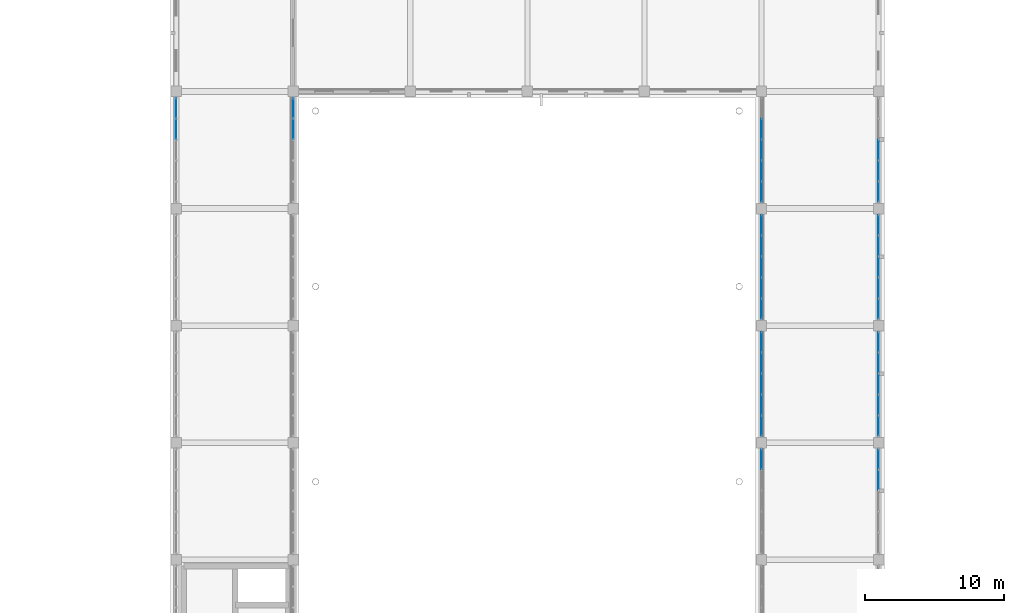
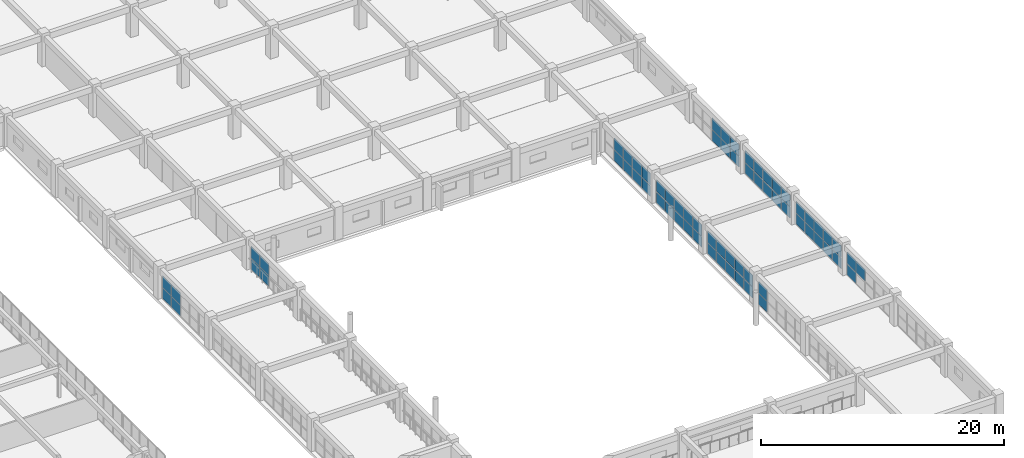
# One storey, part 159 of 200: 67 plates, 10 elements without a shape of their own.
"""IFC4 building model written with IfcOpenShell, lengths in metres."""

from ifc_helpers import new_model, si_unit, direction, frame, origin, origin_2d, place, context, subcontext, project, spatial, rectangle, extrude, material, layer, layer_set, type_object, element, aggregate, save


model = new_model("IFC4")

# Units and contexts
model_context = context("Model", 3, precision=1e-05, world=origin(), true_north=direction((0.0, 1.0)))
body_context = subcontext(model_context, "Body", "Model", "MODEL_VIEW")
ifc_project = project(units=[si_unit("LENGTHUNIT", "METRE"), si_unit("AREAUNIT", "SQUARE_METRE"), si_unit("VOLUMEUNIT", "CUBIC_METRE"), si_unit("PLANEANGLEUNIT", "RADIAN"), si_unit("MASSUNIT", "GRAM", prefix="KILO")], contexts=[model_context])

# Site, building, storey
site_placement = place(None, origin())
site = spatial("IfcSite", under=ifc_project, at=site_placement, CompositionType="ELEMENT")
building_placement = place(site_placement, origin())
building = spatial("IfcBuilding", under=site, at=building_placement, Name="Trelvath General Hospital", CompositionType="ELEMENT")
storey_placement = place(building_placement, frame((0.0, 0.0, 4.800048828125)))
storey = spatial("IfcBuildingStorey", under=building, at=storey_placement, Name="L01", CompositionType="ELEMENT", Elevation=4.800048828125)

# Curtain wall, plates
ifc_material_1 = material(Name="Anodised aluminium and low-E glass", Category="aluminium")
ifc_layer_1 = layer(ifc_material_1, 0.179931640625)
ifc_layer_set_1 = layer_set([ifc_layer_1], Name="Anodised aluminium and low-E glass")
curtain_wall_type = type_object("IfcCurtainWallType", Name="CW Facade 754 242 18", PredefinedType="USERDEFINED", material=ifc_layer_set_1)
curtain_wall_1_placement = place(storey_placement, origin())
curtain_wall_1 = element("IfcCurtainWall", 1, at=curtain_wall_1_placement, inside=storey, type_object=curtain_wall_type, Name="Facade Curtain Wall CW-028", ObjectType="Unitised Glazed Curtain Wall", PredefinedType="USERDEFINED")
ifc_material_2 = material(Name="Low-E laminated glass", Category="glass")
ifc_layer_2 = layer(ifc_material_2, 0.035888671875)
ifc_layer_set_2 = layer_set([ifc_layer_2], Name="Low-E laminated glass")
plate_type = type_object("IfcPlateType", Name="CurtainPanel Glass36", PredefinedType="CURTAIN_PANEL", material=ifc_layer_set_2)
plate_1_placement = place(storey_placement, frame((134.39990234375, 64.508056640625, 0.06494140625), z_axis=(0.0, 0.0, 1.0), x_axis=(0.0, 1.0, 0.0)))
plate_1 = element("IfcPlate", 2, at=plate_1_placement, type_object=plate_type, Name="CW-028 panel 4.1", PredefinedType="CURTAIN_PANEL", context=body_context, shape_type="SweptSolid", body=[
    extrude(rectangle(XDim=1.443115234375, YDim=0.035888671875, at=origin_2d()), origin(), (0.0, 0.0, 1.0), 1.064453125),
])
plate_2_placement = place(storey_placement, frame((134.39990234375, 64.508056640625, 1.1943359375), z_axis=(0.0, 0.0, 1.0), x_axis=(0.0, 1.0, 0.0)))
plate_2 = element("IfcPlate", 3, at=plate_2_placement, type_object=plate_type, Name="CW-028 panel 4.2", PredefinedType="CURTAIN_PANEL", context=body_context, shape_type="SweptSolid", body=[
    extrude(rectangle(XDim=1.443115234375, YDim=0.035888671875, at=origin_2d()), origin(), (0.0, 0.0, 1.0), 1.160400390625),
])
plate_3_placement = place(storey_placement, frame((134.39990234375, 65.999755859375, 0.06494140625), z_axis=(0.0, 0.0, 1.0), x_axis=(0.0, 1.0, 0.0)))
plate_3 = element("IfcPlate", 4, at=plate_3_placement, type_object=plate_type, Name="CW-028 panel 5.1", PredefinedType="CURTAIN_PANEL", context=body_context, shape_type="SweptSolid", body=[
    extrude(rectangle(XDim=1.410400390625, YDim=0.035888671875, at=origin_2d()), origin(), (0.0, 0.0, 1.0), 1.064453125),
])
plate_4_placement = place(storey_placement, frame((134.39990234375, 65.999755859375, 1.1943359375), z_axis=(0.0, 0.0, 1.0), x_axis=(0.0, 1.0, 0.0)))
plate_4 = element("IfcPlate", 5, at=plate_4_placement, type_object=plate_type, Name="CW-028 panel 5.2", PredefinedType="CURTAIN_PANEL", context=body_context, shape_type="SweptSolid", body=[
    extrude(rectangle(XDim=1.410400390625, YDim=0.035888671875, at=origin_2d()), origin(), (0.0, 0.0, 1.0), 1.160400390625),
])
aggregate(curtain_wall_1, [plate_1, plate_2, plate_3, plate_4])

curtain_wall_2_placement = place(storey_placement, origin())
curtain_wall_2 = element("IfcCurtainWall", 6, at=curtain_wall_2_placement, inside=storey, type_object=curtain_wall_type, Name="Facade Curtain Wall CW-029", ObjectType="Unitised Glazed Curtain Wall", PredefinedType="USERDEFINED")
plate_5_placement = place(storey_placement, frame((142.800048828125, 65.999755859375, 0.06494140625), z_axis=(0.0, 0.0, 1.0), x_axis=(0.0, -1.0, 0.0)))
plate_5 = element("IfcPlate", 7, at=plate_5_placement, type_object=plate_type, Name="CW-029 panel 1.1", PredefinedType="CURTAIN_PANEL", context=body_context, shape_type="SweptSolid", body=[
    extrude(rectangle(XDim=1.410400390625, YDim=0.035888671875, at=origin_2d()), origin(), (0.0, 0.0, 1.0), 1.064453125),
])
plate_6_placement = place(storey_placement, frame((142.800048828125, 65.999755859375, 1.1943359375), z_axis=(0.0, 0.0, 1.0), x_axis=(0.0, -1.0, 0.0)))
plate_6 = element("IfcPlate", 8, at=plate_6_placement, type_object=plate_type, Name="CW-029 panel 1.2", PredefinedType="CURTAIN_PANEL", context=body_context, shape_type="SweptSolid", body=[
    extrude(rectangle(XDim=1.410400390625, YDim=0.035888671875, at=origin_2d()), origin(), (0.0, 0.0, 1.0), 1.160400390625),
])
plate_7_placement = place(storey_placement, frame((142.800048828125, 64.508056640625, 0.06494140625), z_axis=(0.0, 0.0, 1.0), x_axis=(0.0, -1.0, 0.0)))
plate_7 = element("IfcPlate", 9, at=plate_7_placement, type_object=plate_type, Name="CW-029 panel 2.1", PredefinedType="CURTAIN_PANEL", context=body_context, shape_type="SweptSolid", body=[
    extrude(rectangle(XDim=1.443115234375, YDim=0.035888671875, at=origin_2d()), origin(), (0.0, 0.0, 1.0), 1.064453125),
])
plate_8_placement = place(storey_placement, frame((142.800048828125, 64.508056640625, 1.1943359375), z_axis=(0.0, 0.0, 1.0), x_axis=(0.0, -1.0, 0.0)))
plate_8 = element("IfcPlate", 10, at=plate_8_placement, type_object=plate_type, Name="CW-029 panel 2.2", PredefinedType="CURTAIN_PANEL", context=body_context, shape_type="SweptSolid", body=[
    extrude(rectangle(XDim=1.443115234375, YDim=0.035888671875, at=origin_2d()), origin(), (0.0, 0.0, 1.0), 1.160400390625),
])
aggregate(curtain_wall_2, [plate_5, plate_6, plate_7, plate_8])

curtain_wall_3_placement = place(storey_placement, origin())
curtain_wall_3 = element("IfcCurtainWall", 11, at=curtain_wall_3_placement, inside=storey, type_object=curtain_wall_type, Name="Facade Curtain Wall CW-032", ObjectType="Unitised Glazed Curtain Wall", PredefinedType="USERDEFINED")
plate_9_placement = place(storey_placement, frame((176.39990234375, 40.7998046875, 0.06494140625), z_axis=(0.0, 0.0, 1.0), x_axis=(0.0, 1.0, 0.0)))
plate_9 = element("IfcPlate", 12, at=plate_9_placement, type_object=plate_type, Name="CW-032 panel 5.1", PredefinedType="CURTAIN_PANEL", context=body_context, shape_type="SweptSolid", body=[
    extrude(rectangle(XDim=1.410400390625, YDim=0.035888671875, at=origin_2d()), origin(), (0.0, 0.0, 1.0), 1.064453125),
])
plate_10_placement = place(storey_placement, frame((176.39990234375, 40.7998046875, 1.1943359375), z_axis=(0.0, 0.0, 1.0), x_axis=(0.0, 1.0, 0.0)))
plate_10 = element("IfcPlate", 13, at=plate_10_placement, type_object=plate_type, Name="CW-032 panel 5.2", PredefinedType="CURTAIN_PANEL", context=body_context, shape_type="SweptSolid", body=[
    extrude(rectangle(XDim=1.410400390625, YDim=0.035888671875, at=origin_2d()), origin(), (0.0, 0.0, 1.0), 1.160400390625),
])
aggregate(curtain_wall_3, [plate_9, plate_10])

curtain_wall_4_placement = place(storey_placement, origin())
curtain_wall_4 = element("IfcCurtainWall", 14, at=curtain_wall_4_placement, inside=storey, type_object=curtain_wall_type, Name="Facade Curtain Wall CW-033", ObjectType="Unitised Glazed Curtain Wall", PredefinedType="USERDEFINED")
plate_11_placement = place(storey_placement, frame((184.800048828125, 40.7998046875, 0.06494140625), z_axis=(0.0, 0.0, 1.0), x_axis=(0.0, -1.0, 0.0)))
plate_11 = element("IfcPlate", 15, at=plate_11_placement, type_object=plate_type, Name="CW-033 panel 1.1", PredefinedType="CURTAIN_PANEL", context=body_context, shape_type="SweptSolid", body=[
    extrude(rectangle(XDim=1.410400390625, YDim=0.035888671875, at=origin_2d()), origin(), (0.0, 0.0, 1.0), 1.064453125),
])
plate_12_placement = place(storey_placement, frame((184.800048828125, 40.7998046875, 1.1943359375), z_axis=(0.0, 0.0, 1.0), x_axis=(0.0, -1.0, 0.0)))
plate_12 = element("IfcPlate", 16, at=plate_12_placement, type_object=plate_type, Name="CW-033 panel 1.2", PredefinedType="CURTAIN_PANEL", context=body_context, shape_type="SweptSolid", body=[
    extrude(rectangle(XDim=1.410400390625, YDim=0.035888671875, at=origin_2d()), origin(), (0.0, 0.0, 1.0), 1.160400390625),
])
plate_13_placement = place(storey_placement, frame((184.800048828125, 39.30810546875, 1.1943359375), z_axis=(0.0, 0.0, 1.0), x_axis=(0.0, -1.0, 0.0)))
plate_13 = element("IfcPlate", 17, at=plate_13_placement, type_object=plate_type, Name="CW-033 panel 2.2", PredefinedType="CURTAIN_PANEL", context=body_context, shape_type="SweptSolid", body=[
    extrude(rectangle(XDim=1.443115234375, YDim=0.035888671875, at=origin_2d()), origin(), (0.0, 0.0, 1.0), 1.160400390625),
])
aggregate(curtain_wall_4, [plate_11, plate_12, plate_13])

curtain_wall_5_placement = place(storey_placement, origin())
curtain_wall_5 = element("IfcCurtainWall", 18, at=curtain_wall_5_placement, inside=storey, type_object=curtain_wall_type, Name="Facade Curtain Wall CW-034", ObjectType="Unitised Glazed Curtain Wall", PredefinedType="USERDEFINED")
plate_14_placement = place(storey_placement, frame((176.39990234375, 43.2001953125, 0.06494140625), z_axis=(0.0, 0.0, 1.0), x_axis=(0.0, 1.0, 0.0)))
plate_14 = element("IfcPlate", 19, at=plate_14_placement, type_object=plate_type, Name="CW-034 panel 1.1", PredefinedType="CURTAIN_PANEL", context=body_context, shape_type="SweptSolid", body=[
    extrude(rectangle(XDim=1.410400390625, YDim=0.035888671875, at=origin_2d()), origin(), (0.0, 0.0, 1.0), 1.064453125),
])
plate_15_placement = place(storey_placement, frame((176.39990234375, 43.2001953125, 1.1943359375), z_axis=(0.0, 0.0, 1.0), x_axis=(0.0, 1.0, 0.0)))
plate_15 = element("IfcPlate", 20, at=plate_15_placement, type_object=plate_type, Name="CW-034 panel 1.2", PredefinedType="CURTAIN_PANEL", context=body_context, shape_type="SweptSolid", body=[
    extrude(rectangle(XDim=1.410400390625, YDim=0.035888671875, at=origin_2d()), origin(), (0.0, 0.0, 1.0), 1.160400390625),
])
plate_16_placement = place(storey_placement, frame((176.39990234375, 44.69189453125, 0.06494140625), z_axis=(0.0, 0.0, 1.0), x_axis=(0.0, 1.0, 0.0)))
plate_16 = element("IfcPlate", 21, at=plate_16_placement, type_object=plate_type, Name="CW-034 panel 2.1", PredefinedType="CURTAIN_PANEL", context=body_context, shape_type="SweptSolid", body=[
    extrude(rectangle(XDim=1.443115234375, YDim=0.035888671875, at=origin_2d()), origin(), (0.0, 0.0, 1.0), 1.064453125),
])
plate_17_placement = place(storey_placement, frame((176.39990234375, 44.69189453125, 1.1943359375), z_axis=(0.0, 0.0, 1.0), x_axis=(0.0, 1.0, 0.0)))
plate_17 = element("IfcPlate", 22, at=plate_17_placement, type_object=plate_type, Name="CW-034 panel 2.2", PredefinedType="CURTAIN_PANEL", context=body_context, shape_type="SweptSolid", body=[
    extrude(rectangle(XDim=1.443115234375, YDim=0.035888671875, at=origin_2d()), origin(), (0.0, 0.0, 1.0), 1.160400390625),
])
plate_18_placement = place(storey_placement, frame((176.39990234375, 46.199951171875, 0.06494140625), z_axis=(0.0, 0.0, 1.0), x_axis=(0.0, 1.0, 0.0)))
plate_18 = element("IfcPlate", 23, at=plate_18_placement, type_object=plate_type, Name="CW-034 panel 3.1", PredefinedType="CURTAIN_PANEL", context=body_context, shape_type="SweptSolid", body=[
    extrude(rectangle(XDim=1.443115234375, YDim=0.035888671875, at=origin_2d()), origin(), (0.0, 0.0, 1.0), 1.064453125),
])
plate_19_placement = place(storey_placement, frame((176.39990234375, 46.199951171875, 1.1943359375), z_axis=(0.0, 0.0, 1.0), x_axis=(0.0, 1.0, 0.0)))
plate_19 = element("IfcPlate", 24, at=plate_19_placement, type_object=plate_type, Name="CW-034 panel 3.2", PredefinedType="CURTAIN_PANEL", context=body_context, shape_type="SweptSolid", body=[
    extrude(rectangle(XDim=1.443115234375, YDim=0.035888671875, at=origin_2d()), origin(), (0.0, 0.0, 1.0), 1.160400390625),
])
plate_20_placement = place(storey_placement, frame((176.39990234375, 47.7080078125, 0.06494140625), z_axis=(0.0, 0.0, 1.0), x_axis=(0.0, 1.0, 0.0)))
plate_20 = element("IfcPlate", 25, at=plate_20_placement, type_object=plate_type, Name="CW-034 panel 4.1", PredefinedType="CURTAIN_PANEL", context=body_context, shape_type="SweptSolid", body=[
    extrude(rectangle(XDim=1.443115234375, YDim=0.035888671875, at=origin_2d()), origin(), (0.0, 0.0, 1.0), 1.064453125),
])
plate_21_placement = place(storey_placement, frame((176.39990234375, 47.7080078125, 1.1943359375), z_axis=(0.0, 0.0, 1.0), x_axis=(0.0, 1.0, 0.0)))
plate_21 = element("IfcPlate", 26, at=plate_21_placement, type_object=plate_type, Name="CW-034 panel 4.2", PredefinedType="CURTAIN_PANEL", context=body_context, shape_type="SweptSolid", body=[
    extrude(rectangle(XDim=1.443115234375, YDim=0.035888671875, at=origin_2d()), origin(), (0.0, 0.0, 1.0), 1.160400390625),
])
plate_22_placement = place(storey_placement, frame((176.39990234375, 49.19970703125, 0.06494140625), z_axis=(0.0, 0.0, 1.0), x_axis=(0.0, 1.0, 0.0)))
plate_22 = element("IfcPlate", 27, at=plate_22_placement, type_object=plate_type, Name="CW-034 panel 5.1", PredefinedType="CURTAIN_PANEL", context=body_context, shape_type="SweptSolid", body=[
    extrude(rectangle(XDim=1.410400390625, YDim=0.035888671875, at=origin_2d()), origin(), (0.0, 0.0, 1.0), 1.064453125),
])
plate_23_placement = place(storey_placement, frame((176.39990234375, 49.19970703125, 1.1943359375), z_axis=(0.0, 0.0, 1.0), x_axis=(0.0, 1.0, 0.0)))
plate_23 = element("IfcPlate", 28, at=plate_23_placement, type_object=plate_type, Name="CW-034 panel 5.2", PredefinedType="CURTAIN_PANEL", context=body_context, shape_type="SweptSolid", body=[
    extrude(rectangle(XDim=1.410400390625, YDim=0.035888671875, at=origin_2d()), origin(), (0.0, 0.0, 1.0), 1.160400390625),
])
aggregate(curtain_wall_5, [plate_14, plate_15, plate_16, plate_17, plate_18, plate_19, plate_20, plate_21, plate_22, plate_23])

curtain_wall_6_placement = place(storey_placement, origin())
curtain_wall_6 = element("IfcCurtainWall", 29, at=curtain_wall_6_placement, inside=storey, type_object=curtain_wall_type, Name="Facade Curtain Wall CW-035", ObjectType="Unitised Glazed Curtain Wall", PredefinedType="USERDEFINED")
plate_24_placement = place(storey_placement, frame((184.800048828125, 49.19970703125, 0.06494140625), z_axis=(0.0, 0.0, 1.0), x_axis=(0.0, -1.0, 0.0)))
plate_24 = element("IfcPlate", 30, at=plate_24_placement, type_object=plate_type, Name="CW-035 panel 1.1", PredefinedType="CURTAIN_PANEL", context=body_context, shape_type="SweptSolid", body=[
    extrude(rectangle(XDim=1.410400390625, YDim=0.035888671875, at=origin_2d()), origin(), (0.0, 0.0, 1.0), 1.064453125),
])
plate_25_placement = place(storey_placement, frame((184.800048828125, 49.19970703125, 1.1943359375), z_axis=(0.0, 0.0, 1.0), x_axis=(0.0, -1.0, 0.0)))
plate_25 = element("IfcPlate", 31, at=plate_25_placement, type_object=plate_type, Name="CW-035 panel 1.2", PredefinedType="CURTAIN_PANEL", context=body_context, shape_type="SweptSolid", body=[
    extrude(rectangle(XDim=1.410400390625, YDim=0.035888671875, at=origin_2d()), origin(), (0.0, 0.0, 1.0), 1.160400390625),
])
plate_26_placement = place(storey_placement, frame((184.800048828125, 47.7080078125, 0.06494140625), z_axis=(0.0, 0.0, 1.0), x_axis=(0.0, -1.0, 0.0)))
plate_26 = element("IfcPlate", 32, at=plate_26_placement, type_object=plate_type, Name="CW-035 panel 2.1", PredefinedType="CURTAIN_PANEL", context=body_context, shape_type="SweptSolid", body=[
    extrude(rectangle(XDim=1.443115234375, YDim=0.035888671875, at=origin_2d()), origin(), (0.0, 0.0, 1.0), 1.064453125),
])
plate_27_placement = place(storey_placement, frame((184.800048828125, 47.7080078125, 1.1943359375), z_axis=(0.0, 0.0, 1.0), x_axis=(0.0, -1.0, 0.0)))
plate_27 = element("IfcPlate", 33, at=plate_27_placement, type_object=plate_type, Name="CW-035 panel 2.2", PredefinedType="CURTAIN_PANEL", context=body_context, shape_type="SweptSolid", body=[
    extrude(rectangle(XDim=1.443115234375, YDim=0.035888671875, at=origin_2d()), origin(), (0.0, 0.0, 1.0), 1.160400390625),
])
plate_28_placement = place(storey_placement, frame((184.800048828125, 46.199951171875, 0.06494140625), z_axis=(0.0, 0.0, 1.0), x_axis=(0.0, -1.0, 0.0)))
plate_28 = element("IfcPlate", 34, at=plate_28_placement, type_object=plate_type, Name="CW-035 panel 3.1", PredefinedType="CURTAIN_PANEL", context=body_context, shape_type="SweptSolid", body=[
    extrude(rectangle(XDim=1.443115234375, YDim=0.035888671875, at=origin_2d()), origin(), (0.0, 0.0, 1.0), 1.064453125),
])
plate_29_placement = place(storey_placement, frame((184.800048828125, 46.199951171875, 1.1943359375), z_axis=(0.0, 0.0, 1.0), x_axis=(0.0, -1.0, 0.0)))
plate_29 = element("IfcPlate", 35, at=plate_29_placement, type_object=plate_type, Name="CW-035 panel 3.2", PredefinedType="CURTAIN_PANEL", context=body_context, shape_type="SweptSolid", body=[
    extrude(rectangle(XDim=1.443115234375, YDim=0.035888671875, at=origin_2d()), origin(), (0.0, 0.0, 1.0), 1.160400390625),
])
plate_30_placement = place(storey_placement, frame((184.800048828125, 44.69189453125, 0.06494140625), z_axis=(0.0, 0.0, 1.0), x_axis=(0.0, -1.0, 0.0)))
plate_30 = element("IfcPlate", 36, at=plate_30_placement, type_object=plate_type, Name="CW-035 panel 4.1", PredefinedType="CURTAIN_PANEL", context=body_context, shape_type="SweptSolid", body=[
    extrude(rectangle(XDim=1.443115234375, YDim=0.035888671875, at=origin_2d()), origin(), (0.0, 0.0, 1.0), 1.064453125),
])
plate_31_placement = place(storey_placement, frame((184.800048828125, 44.69189453125, 1.1943359375), z_axis=(0.0, 0.0, 1.0), x_axis=(0.0, -1.0, 0.0)))
plate_31 = element("IfcPlate", 37, at=plate_31_placement, type_object=plate_type, Name="CW-035 panel 4.2", PredefinedType="CURTAIN_PANEL", context=body_context, shape_type="SweptSolid", body=[
    extrude(rectangle(XDim=1.443115234375, YDim=0.035888671875, at=origin_2d()), origin(), (0.0, 0.0, 1.0), 1.160400390625),
])
plate_32_placement = place(storey_placement, frame((184.800048828125, 43.2001953125, 0.06494140625), z_axis=(0.0, 0.0, 1.0), x_axis=(0.0, -1.0, 0.0)))
plate_32 = element("IfcPlate", 38, at=plate_32_placement, type_object=plate_type, Name="CW-035 panel 5.1", PredefinedType="CURTAIN_PANEL", context=body_context, shape_type="SweptSolid", body=[
    extrude(rectangle(XDim=1.410400390625, YDim=0.035888671875, at=origin_2d()), origin(), (0.0, 0.0, 1.0), 1.064453125),
])
plate_33_placement = place(storey_placement, frame((184.800048828125, 43.2001953125, 1.1943359375), z_axis=(0.0, 0.0, 1.0), x_axis=(0.0, -1.0, 0.0)))
plate_33 = element("IfcPlate", 39, at=plate_33_placement, type_object=plate_type, Name="CW-035 panel 5.2", PredefinedType="CURTAIN_PANEL", context=body_context, shape_type="SweptSolid", body=[
    extrude(rectangle(XDim=1.410400390625, YDim=0.035888671875, at=origin_2d()), origin(), (0.0, 0.0, 1.0), 1.160400390625),
])
aggregate(curtain_wall_6, [plate_24, plate_25, plate_26, plate_27, plate_28, plate_29, plate_30, plate_31, plate_32, plate_33])

curtain_wall_7_placement = place(storey_placement, origin())
curtain_wall_7 = element("IfcCurtainWall", 40, at=curtain_wall_7_placement, inside=storey, type_object=curtain_wall_type, Name="Facade Curtain Wall CW-036", ObjectType="Unitised Glazed Curtain Wall", PredefinedType="USERDEFINED")
plate_34_placement = place(storey_placement, frame((176.39990234375, 51.600341796875, 0.06494140625), z_axis=(0.0, 0.0, 1.0), x_axis=(0.0, 1.0, 0.0)))
plate_34 = element("IfcPlate", 41, at=plate_34_placement, type_object=plate_type, Name="CW-036 panel 1.1", PredefinedType="CURTAIN_PANEL", context=body_context, shape_type="SweptSolid", body=[
    extrude(rectangle(XDim=1.410400390625, YDim=0.035888671875, at=origin_2d()), origin(), (0.0, 0.0, 1.0), 1.064453125),
])
plate_35_placement = place(storey_placement, frame((176.39990234375, 51.600341796875, 1.1943359375), z_axis=(0.0, 0.0, 1.0), x_axis=(0.0, 1.0, 0.0)))
plate_35 = element("IfcPlate", 42, at=plate_35_placement, type_object=plate_type, Name="CW-036 panel 1.2", PredefinedType="CURTAIN_PANEL", context=body_context, shape_type="SweptSolid", body=[
    extrude(rectangle(XDim=1.410400390625, YDim=0.035888671875, at=origin_2d()), origin(), (0.0, 0.0, 1.0), 1.160400390625),
])
plate_36_placement = place(storey_placement, frame((176.39990234375, 53.092041015625, 0.06494140625), z_axis=(0.0, 0.0, 1.0), x_axis=(0.0, 1.0, 0.0)))
plate_36 = element("IfcPlate", 43, at=plate_36_placement, type_object=plate_type, Name="CW-036 panel 2.1", PredefinedType="CURTAIN_PANEL", context=body_context, shape_type="SweptSolid", body=[
    extrude(rectangle(XDim=1.443115234375, YDim=0.035888671875, at=origin_2d()), origin(), (0.0, 0.0, 1.0), 1.064453125),
])
plate_37_placement = place(storey_placement, frame((176.39990234375, 53.092041015625, 1.1943359375), z_axis=(0.0, 0.0, 1.0), x_axis=(0.0, 1.0, 0.0)))
plate_37 = element("IfcPlate", 44, at=plate_37_placement, type_object=plate_type, Name="CW-036 panel 2.2", PredefinedType="CURTAIN_PANEL", context=body_context, shape_type="SweptSolid", body=[
    extrude(rectangle(XDim=1.443115234375, YDim=0.035888671875, at=origin_2d()), origin(), (0.0, 0.0, 1.0), 1.160400390625),
])
plate_38_placement = place(storey_placement, frame((176.39990234375, 54.60009765625, 0.06494140625), z_axis=(0.0, 0.0, 1.0), x_axis=(0.0, 1.0, 0.0)))
plate_38 = element("IfcPlate", 45, at=plate_38_placement, type_object=plate_type, Name="CW-036 panel 3.1", PredefinedType="CURTAIN_PANEL", context=body_context, shape_type="SweptSolid", body=[
    extrude(rectangle(XDim=1.443115234375, YDim=0.035888671875, at=origin_2d()), origin(), (0.0, 0.0, 1.0), 1.064453125),
])
plate_39_placement = place(storey_placement, frame((176.39990234375, 54.60009765625, 1.1943359375), z_axis=(0.0, 0.0, 1.0), x_axis=(0.0, 1.0, 0.0)))
plate_39 = element("IfcPlate", 46, at=plate_39_placement, type_object=plate_type, Name="CW-036 panel 3.2", PredefinedType="CURTAIN_PANEL", context=body_context, shape_type="SweptSolid", body=[
    extrude(rectangle(XDim=1.443115234375, YDim=0.035888671875, at=origin_2d()), origin(), (0.0, 0.0, 1.0), 1.160400390625),
])
plate_40_placement = place(storey_placement, frame((176.39990234375, 56.10791015625, 0.06494140625), z_axis=(0.0, 0.0, 1.0), x_axis=(0.0, 1.0, 0.0)))
plate_40 = element("IfcPlate", 47, at=plate_40_placement, type_object=plate_type, Name="CW-036 panel 4.1", PredefinedType="CURTAIN_PANEL", context=body_context, shape_type="SweptSolid", body=[
    extrude(rectangle(XDim=1.443115234375, YDim=0.035888671875, at=origin_2d()), origin(), (0.0, 0.0, 1.0), 1.064453125),
])
plate_41_placement = place(storey_placement, frame((176.39990234375, 56.10791015625, 1.1943359375), z_axis=(0.0, 0.0, 1.0), x_axis=(0.0, 1.0, 0.0)))
plate_41 = element("IfcPlate", 48, at=plate_41_placement, type_object=plate_type, Name="CW-036 panel 4.2", PredefinedType="CURTAIN_PANEL", context=body_context, shape_type="SweptSolid", body=[
    extrude(rectangle(XDim=1.443115234375, YDim=0.035888671875, at=origin_2d()), origin(), (0.0, 0.0, 1.0), 1.160400390625),
])
plate_42_placement = place(storey_placement, frame((176.39990234375, 57.599853515625, 0.06494140625), z_axis=(0.0, 0.0, 1.0), x_axis=(0.0, 1.0, 0.0)))
plate_42 = element("IfcPlate", 49, at=plate_42_placement, type_object=plate_type, Name="CW-036 panel 5.1", PredefinedType="CURTAIN_PANEL", context=body_context, shape_type="SweptSolid", body=[
    extrude(rectangle(XDim=1.410400390625, YDim=0.035888671875, at=origin_2d()), origin(), (0.0, 0.0, 1.0), 1.064453125),
])
plate_43_placement = place(storey_placement, frame((176.39990234375, 57.599853515625, 1.1943359375), z_axis=(0.0, 0.0, 1.0), x_axis=(0.0, 1.0, 0.0)))
plate_43 = element("IfcPlate", 50, at=plate_43_placement, type_object=plate_type, Name="CW-036 panel 5.2", PredefinedType="CURTAIN_PANEL", context=body_context, shape_type="SweptSolid", body=[
    extrude(rectangle(XDim=1.410400390625, YDim=0.035888671875, at=origin_2d()), origin(), (0.0, 0.0, 1.0), 1.160400390625),
])
aggregate(curtain_wall_7, [plate_34, plate_35, plate_36, plate_37, plate_38, plate_39, plate_40, plate_41, plate_42, plate_43])

curtain_wall_8_placement = place(storey_placement, origin())
curtain_wall_8 = element("IfcCurtainWall", 51, at=curtain_wall_8_placement, inside=storey, type_object=curtain_wall_type, Name="Facade Curtain Wall CW-037", ObjectType="Unitised Glazed Curtain Wall", PredefinedType="USERDEFINED")
plate_44_placement = place(storey_placement, frame((184.800048828125, 57.599853515625, 0.06494140625), z_axis=(0.0, 0.0, 1.0), x_axis=(0.0, -1.0, 0.0)))
plate_44 = element("IfcPlate", 52, at=plate_44_placement, type_object=plate_type, Name="CW-037 panel 1.1", PredefinedType="CURTAIN_PANEL", context=body_context, shape_type="SweptSolid", body=[
    extrude(rectangle(XDim=1.410400390625, YDim=0.035888671875, at=origin_2d()), origin(), (0.0, 0.0, 1.0), 1.064453125),
])
plate_45_placement = place(storey_placement, frame((184.800048828125, 57.599853515625, 1.1943359375), z_axis=(0.0, 0.0, 1.0), x_axis=(0.0, -1.0, 0.0)))
plate_45 = element("IfcPlate", 53, at=plate_45_placement, type_object=plate_type, Name="CW-037 panel 1.2", PredefinedType="CURTAIN_PANEL", context=body_context, shape_type="SweptSolid", body=[
    extrude(rectangle(XDim=1.410400390625, YDim=0.035888671875, at=origin_2d()), origin(), (0.0, 0.0, 1.0), 1.160400390625),
])
plate_46_placement = place(storey_placement, frame((184.800048828125, 56.10791015625, 0.06494140625), z_axis=(0.0, 0.0, 1.0), x_axis=(0.0, -1.0, 0.0)))
plate_46 = element("IfcPlate", 54, at=plate_46_placement, type_object=plate_type, Name="CW-037 panel 2.1", PredefinedType="CURTAIN_PANEL", context=body_context, shape_type="SweptSolid", body=[
    extrude(rectangle(XDim=1.443115234375, YDim=0.035888671875, at=origin_2d()), origin(), (0.0, 0.0, 1.0), 1.064453125),
])
plate_47_placement = place(storey_placement, frame((184.800048828125, 56.10791015625, 1.1943359375), z_axis=(0.0, 0.0, 1.0), x_axis=(0.0, -1.0, 0.0)))
plate_47 = element("IfcPlate", 55, at=plate_47_placement, type_object=plate_type, Name="CW-037 panel 2.2", PredefinedType="CURTAIN_PANEL", context=body_context, shape_type="SweptSolid", body=[
    extrude(rectangle(XDim=1.443115234375, YDim=0.035888671875, at=origin_2d()), origin(), (0.0, 0.0, 1.0), 1.160400390625),
])
plate_48_placement = place(storey_placement, frame((184.800048828125, 54.60009765625, 0.06494140625), z_axis=(0.0, 0.0, 1.0), x_axis=(0.0, -1.0, 0.0)))
plate_48 = element("IfcPlate", 56, at=plate_48_placement, type_object=plate_type, Name="CW-037 panel 3.1", PredefinedType="CURTAIN_PANEL", context=body_context, shape_type="SweptSolid", body=[
    extrude(rectangle(XDim=1.443115234375, YDim=0.035888671875, at=origin_2d()), origin(), (0.0, 0.0, 1.0), 1.064453125),
])
plate_49_placement = place(storey_placement, frame((184.800048828125, 54.60009765625, 1.1943359375), z_axis=(0.0, 0.0, 1.0), x_axis=(0.0, -1.0, 0.0)))
plate_49 = element("IfcPlate", 57, at=plate_49_placement, type_object=plate_type, Name="CW-037 panel 3.2", PredefinedType="CURTAIN_PANEL", context=body_context, shape_type="SweptSolid", body=[
    extrude(rectangle(XDim=1.443115234375, YDim=0.035888671875, at=origin_2d()), origin(), (0.0, 0.0, 1.0), 1.160400390625),
])
plate_50_placement = place(storey_placement, frame((184.800048828125, 53.092041015625, 0.06494140625), z_axis=(0.0, 0.0, 1.0), x_axis=(0.0, -1.0, 0.0)))
plate_50 = element("IfcPlate", 58, at=plate_50_placement, type_object=plate_type, Name="CW-037 panel 4.1", PredefinedType="CURTAIN_PANEL", context=body_context, shape_type="SweptSolid", body=[
    extrude(rectangle(XDim=1.443115234375, YDim=0.035888671875, at=origin_2d()), origin(), (0.0, 0.0, 1.0), 1.064453125),
])
plate_51_placement = place(storey_placement, frame((184.800048828125, 53.092041015625, 1.1943359375), z_axis=(0.0, 0.0, 1.0), x_axis=(0.0, -1.0, 0.0)))
plate_51 = element("IfcPlate", 59, at=plate_51_placement, type_object=plate_type, Name="CW-037 panel 4.2", PredefinedType="CURTAIN_PANEL", context=body_context, shape_type="SweptSolid", body=[
    extrude(rectangle(XDim=1.443115234375, YDim=0.035888671875, at=origin_2d()), origin(), (0.0, 0.0, 1.0), 1.160400390625),
])
plate_52_placement = place(storey_placement, frame((184.800048828125, 51.600341796875, 0.06494140625), z_axis=(0.0, 0.0, 1.0), x_axis=(0.0, -1.0, 0.0)))
plate_52 = element("IfcPlate", 60, at=plate_52_placement, type_object=plate_type, Name="CW-037 panel 5.1", PredefinedType="CURTAIN_PANEL", context=body_context, shape_type="SweptSolid", body=[
    extrude(rectangle(XDim=1.410400390625, YDim=0.035888671875, at=origin_2d()), origin(), (0.0, 0.0, 1.0), 1.064453125),
])
plate_53_placement = place(storey_placement, frame((184.800048828125, 51.600341796875, 1.1943359375), z_axis=(0.0, 0.0, 1.0), x_axis=(0.0, -1.0, 0.0)))
plate_53 = element("IfcPlate", 61, at=plate_53_placement, type_object=plate_type, Name="CW-037 panel 5.2", PredefinedType="CURTAIN_PANEL", context=body_context, shape_type="SweptSolid", body=[
    extrude(rectangle(XDim=1.410400390625, YDim=0.035888671875, at=origin_2d()), origin(), (0.0, 0.0, 1.0), 1.160400390625),
])
aggregate(curtain_wall_8, [plate_44, plate_45, plate_46, plate_47, plate_48, plate_49, plate_50, plate_51, plate_52, plate_53])

curtain_wall_9_placement = place(storey_placement, origin())
curtain_wall_9 = element("IfcCurtainWall", 62, at=curtain_wall_9_placement, inside=storey, type_object=curtain_wall_type, Name="Facade Curtain Wall CW-038", ObjectType="Unitised Glazed Curtain Wall", PredefinedType="USERDEFINED")
plate_54_placement = place(storey_placement, frame((176.39990234375, 60.000244140625, 0.06494140625), z_axis=(0.0, 0.0, 1.0), x_axis=(0.0, 1.0, 0.0)))
plate_54 = element("IfcPlate", 63, at=plate_54_placement, type_object=plate_type, Name="CW-038 panel 1.1", PredefinedType="CURTAIN_PANEL", context=body_context, shape_type="SweptSolid", body=[
    extrude(rectangle(XDim=1.410400390625, YDim=0.035888671875, at=origin_2d()), origin(), (0.0, 0.0, 1.0), 1.064453125),
])
plate_55_placement = place(storey_placement, frame((176.39990234375, 60.000244140625, 1.1943359375), z_axis=(0.0, 0.0, 1.0), x_axis=(0.0, 1.0, 0.0)))
plate_55 = element("IfcPlate", 64, at=plate_55_placement, type_object=plate_type, Name="CW-038 panel 1.2", PredefinedType="CURTAIN_PANEL", context=body_context, shape_type="SweptSolid", body=[
    extrude(rectangle(XDim=1.410400390625, YDim=0.035888671875, at=origin_2d()), origin(), (0.0, 0.0, 1.0), 1.160400390625),
])
plate_56_placement = place(storey_placement, frame((176.39990234375, 61.491943359375, 0.06494140625), z_axis=(0.0, 0.0, 1.0), x_axis=(0.0, 1.0, 0.0)))
plate_56 = element("IfcPlate", 65, at=plate_56_placement, type_object=plate_type, Name="CW-038 panel 2.1", PredefinedType="CURTAIN_PANEL", context=body_context, shape_type="SweptSolid", body=[
    extrude(rectangle(XDim=1.443115234375, YDim=0.035888671875, at=origin_2d()), origin(), (0.0, 0.0, 1.0), 1.064453125),
])
plate_57_placement = place(storey_placement, frame((176.39990234375, 61.491943359375, 1.1943359375), z_axis=(0.0, 0.0, 1.0), x_axis=(0.0, 1.0, 0.0)))
plate_57 = element("IfcPlate", 66, at=plate_57_placement, type_object=plate_type, Name="CW-038 panel 2.2", PredefinedType="CURTAIN_PANEL", context=body_context, shape_type="SweptSolid", body=[
    extrude(rectangle(XDim=1.443115234375, YDim=0.035888671875, at=origin_2d()), origin(), (0.0, 0.0, 1.0), 1.160400390625),
])
plate_58_placement = place(storey_placement, frame((176.39990234375, 63.0, 0.06494140625), z_axis=(0.0, 0.0, 1.0), x_axis=(0.0, 1.0, 0.0)))
plate_58 = element("IfcPlate", 67, at=plate_58_placement, type_object=plate_type, Name="CW-038 panel 3.1", PredefinedType="CURTAIN_PANEL", context=body_context, shape_type="SweptSolid", body=[
    extrude(rectangle(XDim=1.443115234375, YDim=0.035888671875, at=origin_2d()), origin(), (0.0, 0.0, 1.0), 1.064453125),
])
plate_59_placement = place(storey_placement, frame((176.39990234375, 63.0, 1.1943359375), z_axis=(0.0, 0.0, 1.0), x_axis=(0.0, 1.0, 0.0)))
plate_59 = element("IfcPlate", 68, at=plate_59_placement, type_object=plate_type, Name="CW-038 panel 3.2", PredefinedType="CURTAIN_PANEL", context=body_context, shape_type="SweptSolid", body=[
    extrude(rectangle(XDim=1.443115234375, YDim=0.035888671875, at=origin_2d()), origin(), (0.0, 0.0, 1.0), 1.160400390625),
])
plate_60_placement = place(storey_placement, frame((176.39990234375, 64.508056640625, 0.06494140625), z_axis=(0.0, 0.0, 1.0), x_axis=(0.0, 1.0, 0.0)))
plate_60 = element("IfcPlate", 69, at=plate_60_placement, type_object=plate_type, Name="CW-038 panel 4.1", PredefinedType="CURTAIN_PANEL", context=body_context, shape_type="SweptSolid", body=[
    extrude(rectangle(XDim=1.443115234375, YDim=0.035888671875, at=origin_2d()), origin(), (0.0, 0.0, 1.0), 1.064453125),
])
plate_61_placement = place(storey_placement, frame((176.39990234375, 64.508056640625, 1.1943359375), z_axis=(0.0, 0.0, 1.0), x_axis=(0.0, 1.0, 0.0)))
plate_61 = element("IfcPlate", 70, at=plate_61_placement, type_object=plate_type, Name="CW-038 panel 4.2", PredefinedType="CURTAIN_PANEL", context=body_context, shape_type="SweptSolid", body=[
    extrude(rectangle(XDim=1.443115234375, YDim=0.035888671875, at=origin_2d()), origin(), (0.0, 0.0, 1.0), 1.160400390625),
])
aggregate(curtain_wall_9, [plate_54, plate_55, plate_56, plate_57, plate_58, plate_59, plate_60, plate_61])

curtain_wall_10_placement = place(storey_placement, origin())
curtain_wall_10 = element("IfcCurtainWall", 71, at=curtain_wall_10_placement, inside=storey, type_object=curtain_wall_type, Name="Facade Curtain Wall CW-039", ObjectType="Unitised Glazed Curtain Wall", PredefinedType="USERDEFINED")
plate_62_placement = place(storey_placement, frame((184.800048828125, 63.0, 0.06494140625), z_axis=(0.0, 0.0, 1.0), x_axis=(0.0, -1.0, 0.0)))
plate_62 = element("IfcPlate", 72, at=plate_62_placement, type_object=plate_type, Name="CW-039 panel 3.1", PredefinedType="CURTAIN_PANEL", context=body_context, shape_type="SweptSolid", body=[
    extrude(rectangle(XDim=1.443115234375, YDim=0.035888671875, at=origin_2d()), origin(), (0.0, 0.0, 1.0), 1.064453125),
])
plate_63_placement = place(storey_placement, frame((184.800048828125, 63.0, 1.1943359375), z_axis=(0.0, 0.0, 1.0), x_axis=(0.0, -1.0, 0.0)))
plate_63 = element("IfcPlate", 73, at=plate_63_placement, type_object=plate_type, Name="CW-039 panel 3.2", PredefinedType="CURTAIN_PANEL", context=body_context, shape_type="SweptSolid", body=[
    extrude(rectangle(XDim=1.443115234375, YDim=0.035888671875, at=origin_2d()), origin(), (0.0, 0.0, 1.0), 1.160400390625),
])
plate_64_placement = place(storey_placement, frame((184.800048828125, 61.491943359375, 0.06494140625), z_axis=(0.0, 0.0, 1.0), x_axis=(0.0, -1.0, 0.0)))
plate_64 = element("IfcPlate", 74, at=plate_64_placement, type_object=plate_type, Name="CW-039 panel 4.1", PredefinedType="CURTAIN_PANEL", context=body_context, shape_type="SweptSolid", body=[
    extrude(rectangle(XDim=1.443115234375, YDim=0.035888671875, at=origin_2d()), origin(), (0.0, 0.0, 1.0), 1.064453125),
])
plate_65_placement = place(storey_placement, frame((184.800048828125, 61.491943359375, 1.1943359375), z_axis=(0.0, 0.0, 1.0), x_axis=(0.0, -1.0, 0.0)))
plate_65 = element("IfcPlate", 75, at=plate_65_placement, type_object=plate_type, Name="CW-039 panel 4.2", PredefinedType="CURTAIN_PANEL", context=body_context, shape_type="SweptSolid", body=[
    extrude(rectangle(XDim=1.443115234375, YDim=0.035888671875, at=origin_2d()), origin(), (0.0, 0.0, 1.0), 1.160400390625),
])
plate_66_placement = place(storey_placement, frame((184.800048828125, 60.000244140625, 0.06494140625), z_axis=(0.0, 0.0, 1.0), x_axis=(0.0, -1.0, 0.0)))
plate_66 = element("IfcPlate", 76, at=plate_66_placement, type_object=plate_type, Name="CW-039 panel 5.1", PredefinedType="CURTAIN_PANEL", context=body_context, shape_type="SweptSolid", body=[
    extrude(rectangle(XDim=1.410400390625, YDim=0.035888671875, at=origin_2d()), origin(), (0.0, 0.0, 1.0), 1.064453125),
])
plate_67_placement = place(storey_placement, frame((184.800048828125, 60.000244140625, 1.1943359375), z_axis=(0.0, 0.0, 1.0), x_axis=(0.0, -1.0, 0.0)))
plate_67 = element("IfcPlate", 77, at=plate_67_placement, type_object=plate_type, Name="CW-039 panel 5.2", PredefinedType="CURTAIN_PANEL", context=body_context, shape_type="SweptSolid", body=[
    extrude(rectangle(XDim=1.410400390625, YDim=0.035888671875, at=origin_2d()), origin(), (0.0, 0.0, 1.0), 1.160400390625),
])
aggregate(curtain_wall_10, [plate_62, plate_63, plate_64, plate_65, plate_66, plate_67])

save(model, "model.ifc")
